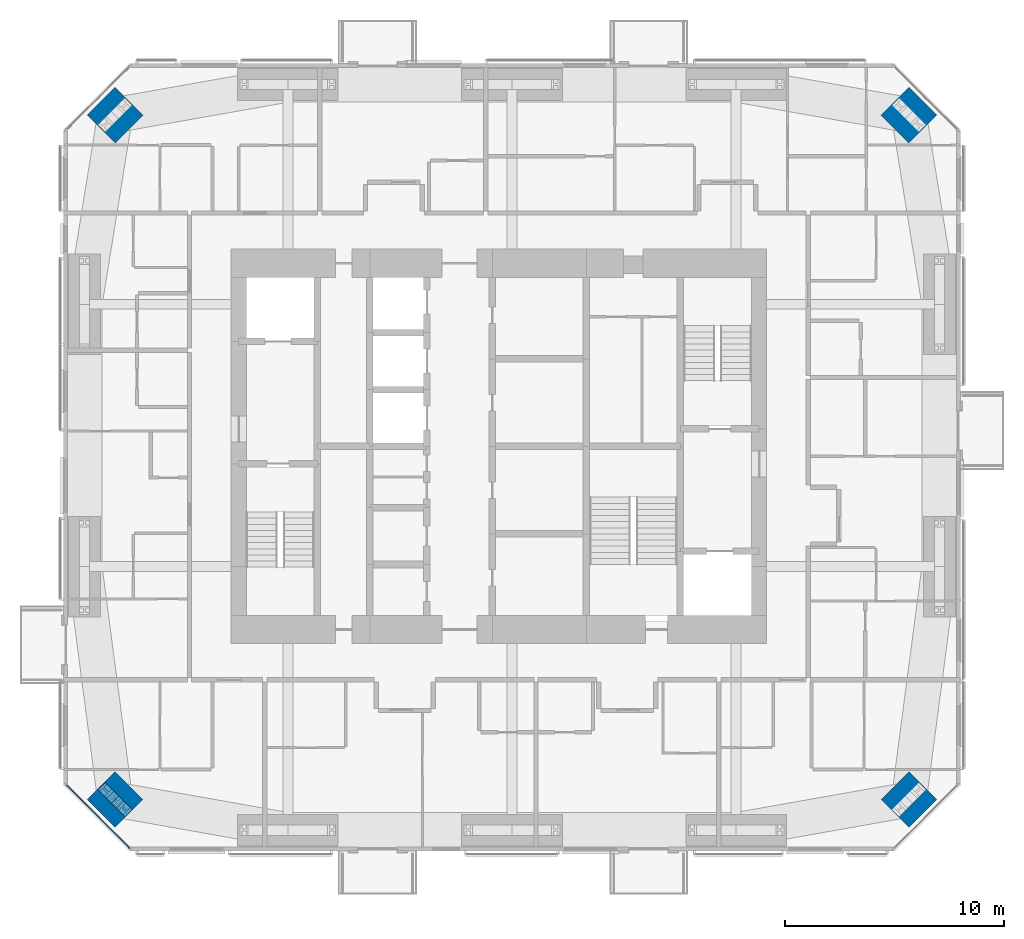
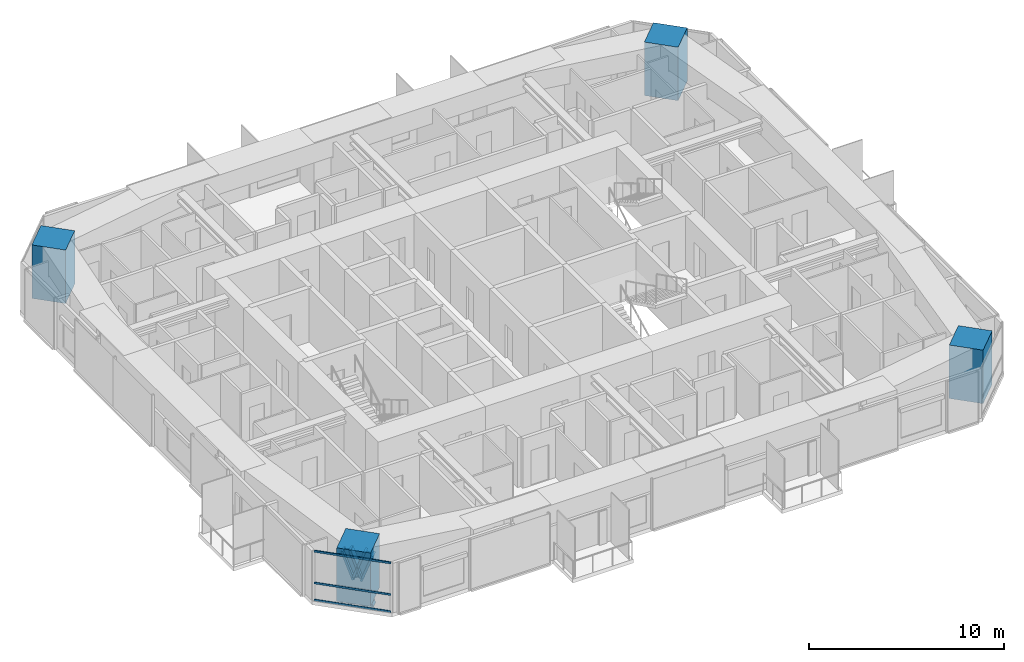
# One storey, part 1 of 23: 7 members, 4 columns, 1 element without a shape of its own.
"""IFC4 building model written with IfcOpenShell, lengths in metres."""

from ifc_helpers import new_model, si_unit, direction, frame, origin, origin_2d, place, context, subcontext, project, spatial, rectangle, i_section, extrude, material, material_profile, profile_set, type_object, element, aggregate, save


model = new_model("IFC4")

# Units and contexts
model_context = context("Model", 3, precision=1e-05, world=origin(), true_north=direction((0.0, 1.0)))
body_context = subcontext(model_context, "Body", "Model", "MODEL_VIEW")
ifc_project = project(units=[si_unit("LENGTHUNIT", "METRE"), si_unit("AREAUNIT", "SQUARE_METRE"), si_unit("VOLUMEUNIT", "CUBIC_METRE"), si_unit("PLANEANGLEUNIT", "RADIAN"), si_unit("MASSUNIT", "GRAM", prefix="KILO")], contexts=[model_context])

# Site, building, storey
site_placement = place(None, origin())
site = spatial("IfcSite", under=ifc_project, at=site_placement, CompositionType="ELEMENT")
building_placement = place(site_placement, origin())
building = spatial("IfcBuilding", under=site, at=building_placement, Name="Jalousie Tower", CompositionType="ELEMENT")
storey_placement = place(building_placement, frame((0.0, 0.0, 164.39990234375)))
storey = spatial("IfcBuildingStorey", under=building, at=storey_placement, Name="L44", CompositionType="ELEMENT", Elevation=164.39990234375)

# Columns
ifc_material_1 = material(Name="Concrete f'c 120 MPa", Category="concrete")
ifc_material_profile_1 = material_profile(ifc_material_1, rectangle(XDim=1.800048828125, YDim=1.800048828125, at=origin_2d()), Name="RC 1800x1800")
ifc_profile_set_1 = profile_set([ifc_material_profile_1], Name="Concrete f'c 120 MPa")
column_type = type_object("IfcColumnType", Name="RC COLUMN 1800x1800", PredefinedType="COLUMN", material=ifc_profile_set_1)
for number, where, z_axis, x_axis, name in (
    (1, (14.348388671875, 2.348388671875, 0.0), (0.0, 0.0, 1.0), (0.707106781187, 0.707106781187, 0.0), "Column 01 L44"),
    (2, (50.651611328125, 2.348388671875, 0.0), (0.0, 0.0, 1.0), (0.707106781187, 0.707106781187, 0.0), "Column 05 L44"),
    (3, (50.651611328125, 33.651611328125, 0.0), (0.0, 0.0, 1.0), (0.707106781187, 0.707106781187, 0.0), "Column 08 L44"),
    (4, (14.348388671875, 33.651611328125, 0.0), (0.0, 0.0, 1.0), (0.707106781187, 0.707106781187, 0.0), "Column 12 L44"),
):
    element("IfcColumn", number, at=place(storey_placement, frame(where, z_axis=z_axis, x_axis=x_axis)), inside=storey, type_object=column_type, Name=name, PredefinedType="COLUMN", context=body_context, shape_type="SweptSolid", body=[
        extrude(rectangle(XDim=1.800048828125, YDim=1.800048828125, at=origin_2d()), origin(), (0.0, 0.0, 1.0), 3.35009765625),
    ])

# Curtain wall, members
ifc_material_2 = material(Name="Aluminium curtain wall", Category="aluminium")
curtain_wall_type = type_object("IfcCurtainWallType", Name="CORNER WINDOW WALL", PredefinedType="USERDEFINED", material=ifc_material_2)
curtain_wall_placement = place(storey_placement, origin())
curtain_wall = element("IfcCurtainWall", 5, at=curtain_wall_placement, inside=storey, type_object=curtain_wall_type, Name="Corner Window Wall L44 8", ObjectType="CORNER WINDOW WALL", PredefinedType="USERDEFINED")
ifc_material_3 = material(Name="Aluminium transom", Category="aluminium")
ifc_material_profile_2 = material_profile(ifc_material_3, rectangle(XDim=0.06005859375, YDim=0.1201171875, at=origin_2d()), Name="TRANSOM 60x120")
ifc_profile_set_2 = profile_set([ifc_material_profile_2], Name="Aluminium transom")
member_type_1 = type_object("IfcMemberType", Name="CORNER WINDOW WALL TRANSOM", PredefinedType="USERDEFINED", material=ifc_profile_set_2)
member_1_placement = place(storey_placement, frame((12.1298828125, 3.0087890625, 0.030029296875), z_axis=(0.707106781187, -0.707106781187, 0.0), x_axis=(0.707106781187, 0.707106781187, 0.0)))
member_1 = element("IfcMember", 6, at=member_1_placement, type_object=member_type_1, Name="CW-C transom 1.1", ObjectType="TRANSOM", PredefinedType="USERDEFINED", context=body_context, shape_type="SweptSolid", body=[
    extrude(rectangle(XDim=0.06005859375, YDim=0.1201171875, at=origin_2d()), origin(), (0.0, 0.0, 1.0), 4.0712890625),
])
member_2_placement = place(storey_placement, frame((12.1298828125, 3.0087890625, 1.10009765625), z_axis=(0.707106781187, -0.707106781187, 0.0), x_axis=(0.707106781187, 0.707106781187, 0.0)))
member_2 = element("IfcMember", 7, at=member_2_placement, type_object=member_type_1, Name="CW-C transom 1.2", ObjectType="TRANSOM", PredefinedType="USERDEFINED", context=body_context, shape_type="SweptSolid", body=[
    extrude(rectangle(XDim=0.06005859375, YDim=0.1201171875, at=origin_2d()), origin(), (0.0, 0.0, 1.0), 4.0712890625),
])
member_3_placement = place(storey_placement, frame((12.1298828125, 3.0087890625, 3.080078125), z_axis=(0.707106781187, -0.707106781187, 0.0), x_axis=(0.707106781187, 0.707106781187, 0.0)))
member_3 = element("IfcMember", 8, at=member_3_placement, type_object=member_type_1, Name="CW-C transom 1.3", ObjectType="TRANSOM", PredefinedType="USERDEFINED", context=body_context, shape_type="SweptSolid", body=[
    extrude(rectangle(XDim=0.06005859375, YDim=0.1201171875, at=origin_2d()), origin(), (0.0, 0.0, 1.0), 4.0712890625),
])
aggregate(curtain_wall, [member_1, member_2, member_3])

# Members
ifc_material_4 = material(Name="Steel ASTM A992 Grade 50", Category="steel")
ifc_material_profile_3 = material_profile(ifc_material_4, i_section(OverallWidth=0.472412109375, OverallDepth=0.5791015625, WebThickness=0.094970703125, FlangeThickness=0.1298828125, at=origin_2d()), Name="W14X808")
ifc_profile_set_3 = profile_set([ifc_material_profile_3], Name="Steel ASTM A992 Grade 50")
member_type_2 = type_object("IfcMemberType", Name="PERIMETER BRACE W14X808", PredefinedType="BRACE", material=ifc_profile_set_3)
member_4_placement = place(storey_placement, frame((13.92431640625, 2.772705078125, -0.599853515625), z_axis=(0.238345540878, -0.238482757655, 0.941444303953), x_axis=(0.707310235866, 0.706903267951, 0.0)))
element("IfcMember", 9, at=member_4_placement, inside=storey, type_object=member_type_2, Name="Perimeter brace 01 L44 part 1", PredefinedType="BRACE", context=body_context, shape_type="SweptSolid", body=[
    extrude(i_section(OverallWidth=0.472412109375, OverallDepth=0.5791015625, WebThickness=0.094970703125, FlangeThickness=0.1298828125, at=origin_2d()), origin(), (0.0, 0.0, 1.0), 1.779296875),
])
member_5_placement = place(storey_placement, frame((14.348388671875, 2.348388671875, 1.0751953125), z_axis=(0.238513569048, -0.238376334543, 0.941428701766), x_axis=(0.706903267951, 0.707310235866, 0.0)))
element("IfcMember", 10, at=member_5_placement, inside=storey, type_object=member_type_2, Name="Perimeter brace 01 L44 part 2", PredefinedType="BRACE", context=body_context, shape_type="SweptSolid", body=[
    extrude(i_section(OverallWidth=0.472412109375, OverallDepth=0.5791015625, WebThickness=0.094970703125, FlangeThickness=0.1298828125, at=origin_2d()), origin(), (0.0, 0.0, 1.0), 1.779052734375),
])
member_6_placement = place(storey_placement, frame((14.772705078125, 1.92431640625, -0.599853515625), z_axis=(-0.238482757655, 0.238345540878, 0.941444303953), x_axis=(-0.706903267951, -0.707310235866, 0.0)))
element("IfcMember", 11, at=member_6_placement, inside=storey, type_object=member_type_2, Name="Perimeter brace 01 L44 part 3", PredefinedType="BRACE", context=body_context, shape_type="SweptSolid", body=[
    extrude(i_section(OverallWidth=0.472412109375, OverallDepth=0.5791015625, WebThickness=0.094970703125, FlangeThickness=0.1298828125, at=origin_2d()), origin(), (0.0, 0.0, 1.0), 1.779296875),
])
member_7_placement = place(storey_placement, frame((14.348388671875, 2.348388671875, 1.0751953125), z_axis=(-0.238376334543, 0.238513569048, 0.941428701766), x_axis=(-0.707310235866, -0.706903267951, 0.0)))
element("IfcMember", 12, at=member_7_placement, inside=storey, type_object=member_type_2, Name="Perimeter brace 01 L44 part 4", PredefinedType="BRACE", context=body_context, shape_type="SweptSolid", body=[
    extrude(i_section(OverallWidth=0.472412109375, OverallDepth=0.5791015625, WebThickness=0.094970703125, FlangeThickness=0.1298828125, at=origin_2d()), origin(), (0.0, 0.0, 1.0), 1.779052734375),
])

save(model, "model.ifc")
